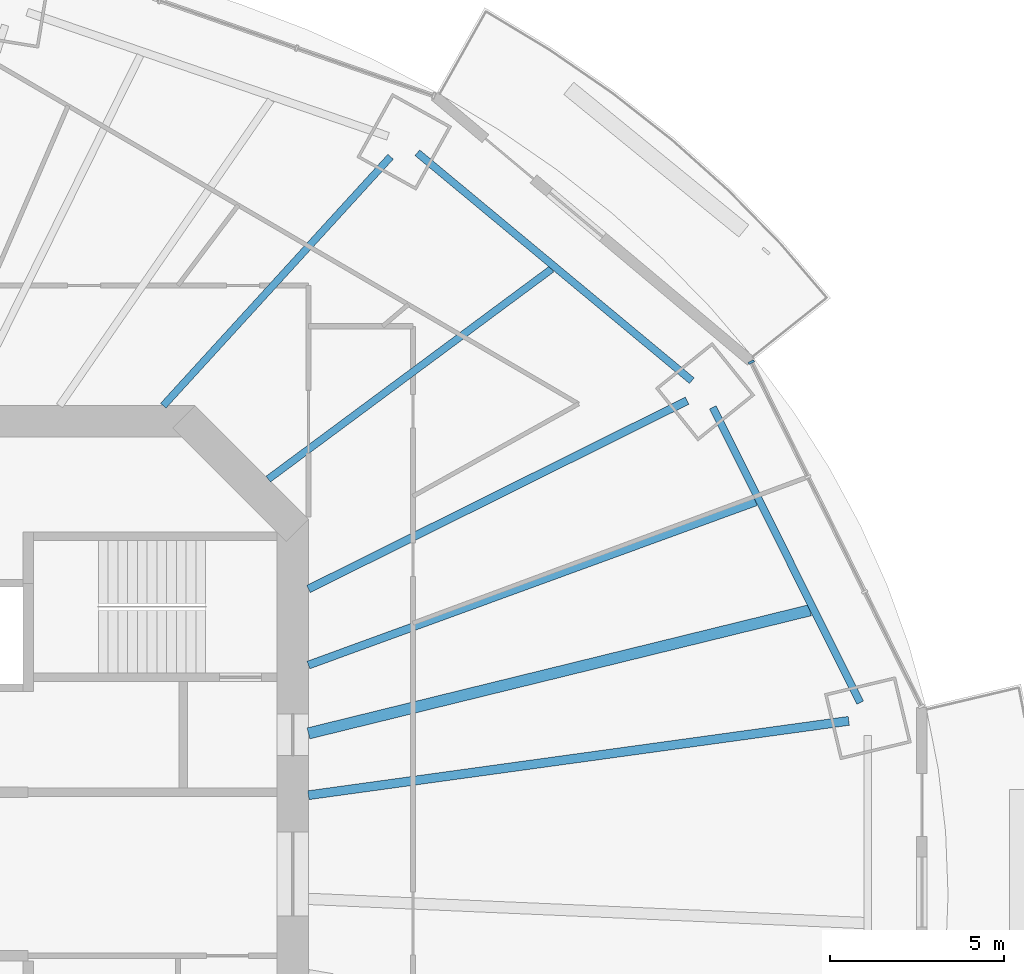
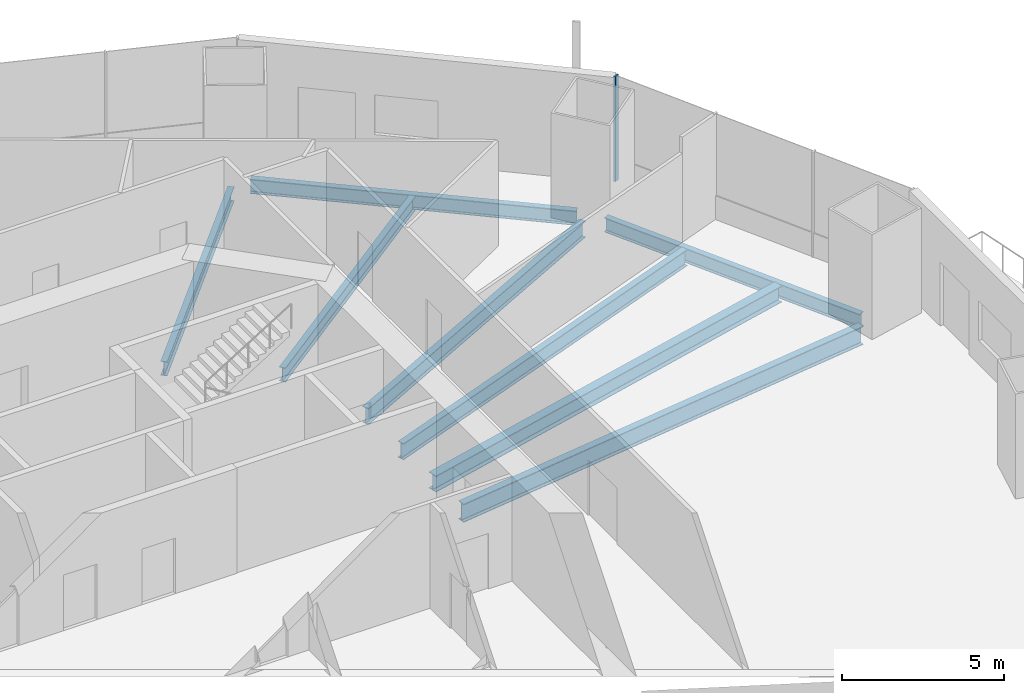
# One storey, part 8 of 21: 8 beams, 1 member, 1 element without a shape of its own.
"""IFC4 building model written with IfcOpenShell, lengths in metres."""

from ifc_helpers import new_model, si_unit, direction, frame, origin, origin_2d, place, context, subcontext, project, spatial, rectangle, i_section, extrude, material, material_profile, profile_set, type_object, element, aggregate, save


model = new_model("IFC4")

# Units and contexts
model_context = context("Model", 3, precision=1e-05, world=origin(), true_north=direction((0.0, 1.0)))
body_context = subcontext(model_context, "Body", "Model", "MODEL_VIEW")
ifc_project = project(units=[si_unit("LENGTHUNIT", "METRE"), si_unit("AREAUNIT", "SQUARE_METRE"), si_unit("VOLUMEUNIT", "CUBIC_METRE"), si_unit("PLANEANGLEUNIT", "RADIAN"), si_unit("MASSUNIT", "GRAM", prefix="KILO")], contexts=[model_context])

# Site, building, storey
site_placement = place(None, origin())
site = spatial("IfcSite", under=ifc_project, at=site_placement, CompositionType="ELEMENT")
building_placement = place(site_placement, origin())
building = spatial("IfcBuilding", under=site, at=building_placement, Name="Marenthal Gate Tower", CompositionType="ELEMENT")
storey_placement = place(building_placement, frame((0.0, 0.0, 165.199951171875)))
storey = spatial("IfcBuildingStorey", under=building, at=storey_placement, Name="L35", CompositionType="ELEMENT", Elevation=165.199951171875)

# Curtain wall, member
ifc_material_1 = material(Name="Aluminium and glass", Category="aluminium")
curtain_wall_type = type_object("IfcCurtainWallType", Name="Curtain wall typical mid", PredefinedType="NOTDEFINED", material=ifc_material_1)
curtain_wall_placement = place(storey_placement, origin())
curtain_wall = element("IfcCurtainWall", 1, at=curtain_wall_placement, inside=storey, type_object=curtain_wall_type, Name="Curtain wall L35 bay 1", PredefinedType="NOTDEFINED")
ifc_material_2 = material(Name="Aluminium", Category="aluminium")
ifc_material_profile_1 = material_profile(ifc_material_2, rectangle(XDim=0.179931640625, YDim=0.06005859375, at=origin_2d()), Name="60x180 aluminium mullion")
ifc_profile_set_1 = profile_set([ifc_material_profile_1], Name="Aluminium")
member_type = type_object("IfcMemberType", Name="Mullion 60x180 typical mid", PredefinedType="MULLION", material=ifc_profile_set_1)
member_placement = place(storey_placement, frame((29.167724609375, 14.702392578125, 0.0), z_axis=(0.0, 0.0, 1.0), x_axis=(-0.896608747182, -0.442823615536, 0.0)))
member = element("IfcMember", 2, at=member_placement, type_object=member_type, Name="Mullion L35 bay 1.4", PredefinedType="MULLION", context=body_context, shape_type="SweptSolid", body=[
    extrude(rectangle(XDim=0.179931640625, YDim=0.06005859375, at=origin_2d()), origin(), (0.0, 0.0, 1.0), 3.969970703125),
])
aggregate(curtain_wall, [member])

# Beams
ifc_material_3 = material(Name="Steel S355", Category="steel")
ifc_material_profile_2 = material_profile(ifc_material_3, i_section(OverallWidth=0.2099609375, OverallDepth=0.535888671875, WebThickness=0.010986328125, FlangeThickness=0.017333984375, FilletRadius=0.0126953125, at=origin_2d()), Name="W530X101")
ifc_profile_set_2 = profile_set([ifc_material_profile_2], Name="Steel S355")
beam_type_1 = type_object("IfcBeamType", Name="W530X101 beam", PredefinedType="BEAM", material=ifc_profile_set_2)
beam_1_placement = place(storey_placement, frame((18.809326171875, 20.600341796875, -0.447998046875), z_axis=(-0.674280125506, -0.738475668081, 0.0), x_axis=(0.738475668081, -0.674280125506, 0.0)))
element("IfcBeam", 3, at=beam_1_placement, inside=storey, type_object=beam_type_1, Name="BM-L35-03", PredefinedType="BEAM", context=body_context, shape_type="SweptSolid", body=[
    extrude(i_section(OverallWidth=0.2099609375, OverallDepth=0.535888671875, WebThickness=0.010986328125, FlangeThickness=0.017333984375, FilletRadius=0.0126953125, at=origin_2d()), origin(), (0.0, 0.0, 1.0), 9.6826171875),
])
beam_2_placement = place(storey_placement, frame((23.4326171875, 17.374755859375, -0.447998046875), z_axis=(-0.803267636897, -0.595618253174, 0.0), x_axis=(0.595618253174, -0.803267636897, 0.0)))
element("IfcBeam", 4, at=beam_2_placement, inside=storey, type_object=beam_type_1, Name="BM-L35-19", PredefinedType="BEAM", context=body_context, shape_type="SweptSolid", body=[
    extrude(i_section(OverallWidth=0.2099609375, OverallDepth=0.535888671875, WebThickness=0.010986328125, FlangeThickness=0.017333984375, FilletRadius=0.0126953125, at=origin_2d()), origin(), (0.0, 0.0, 1.0), 10.130126953125),
])
ifc_material_4 = material(Name="Steel S355", Category="steel")
ifc_material_profile_3 = material_profile(ifc_material_4, i_section(OverallWidth=0.2119140625, OverallDepth=0.5439453125, WebThickness=0.01318359375, FlangeThickness=0.021240234375, FilletRadius=0.0126953125, at=origin_2d()), Name="W530X123")
ifc_profile_set_3 = profile_set([ifc_material_profile_3], Name="Steel S355")
beam_type_2 = type_object("IfcBeamType", Name="W530X123 beam", PredefinedType="BEAM", material=ifc_profile_set_3)
beam_3_placement = place(storey_placement, frame((32.293701171875, 4.9228515625, -0.451904296875), z_axis=(-0.446296506962, 0.894885147868, 0.0), x_axis=(-0.894885147868, -0.446296506962, 0.0)))
element("IfcBeam", 5, at=beam_3_placement, inside=storey, type_object=beam_type_2, Name="BM-L35-41", PredefinedType="BEAM", context=body_context, shape_type="SweptSolid", body=[
    extrude(i_section(OverallWidth=0.2119140625, OverallDepth=0.5439453125, WebThickness=0.01318359375, FlangeThickness=0.021240234375, FilletRadius=0.0126953125, at=origin_2d()), origin(), (0.0, 0.0, 1.0), 9.4794921875),
])
beam_4_placement = place(storey_placement, frame((27.460205078125, 14.16748046875, -0.451904296875), z_axis=(-0.769269111774, 0.638924904563, 0.0), x_axis=(-0.638924904563, -0.769269111774, 0.0)))
element("IfcBeam", 6, at=beam_4_placement, inside=storey, type_object=beam_type_2, Name="BM-L35-42", PredefinedType="BEAM", context=body_context, shape_type="SweptSolid", body=[
    extrude(i_section(OverallWidth=0.2119140625, OverallDepth=0.5439453125, WebThickness=0.01318359375, FlangeThickness=0.021240234375, FilletRadius=0.0126953125, at=origin_2d()), origin(), (0.0, 0.0, 1.0), 10.24560546875),
])
ifc_material_5 = material(Name="Steel S355", Category="steel")
ifc_material_profile_4 = material_profile(ifc_material_5, i_section(OverallWidth=0.22900390625, OverallDepth=0.612060546875, WebThickness=0.011962890625, FlangeThickness=0.01953125, FilletRadius=0.0126953125, at=origin_2d()), Name="W610X125")
ifc_profile_set_4 = profile_set([ifc_material_profile_4], Name="Steel S355")
beam_type_3 = type_object("IfcBeamType", Name="W610X125 beam", PredefinedType="BEAM", material=ifc_profile_set_4)
beam_5_placement = place(storey_placement, frame((27.326171875, 13.595458984375, -0.48583984375), z_axis=(-0.895313726345, -0.445436113733, 0.0), x_axis=(0.445436113733, -0.895313726345, 0.0)))
element("IfcBeam", 7, at=beam_5_placement, inside=storey, type_object=beam_type_3, Name="BM-L35-02", PredefinedType="BEAM", context=body_context, shape_type="SweptSolid", body=[
    extrude(i_section(OverallWidth=0.22900390625, OverallDepth=0.612060546875, WebThickness=0.011962890625, FlangeThickness=0.01953125, FilletRadius=0.0126953125, at=origin_2d()), origin(), (0.0, 0.0, 1.0), 12.14794921875),
])
beam_6_placement = place(storey_placement, frame((29.29931640625, 10.689208984375, -0.48583984375), z_axis=(-0.939434876247, -0.34272746212, 0.0), x_axis=(0.34272746212, -0.939434876247, 0.0)))
element("IfcBeam", 8, at=beam_6_placement, inside=storey, type_object=beam_type_3, Name="BM-L35-18", PredefinedType="BEAM", context=body_context, shape_type="SweptSolid", body=[
    extrude(i_section(OverallWidth=0.22900390625, OverallDepth=0.612060546875, WebThickness=0.011962890625, FlangeThickness=0.01953125, FilletRadius=0.0126953125, at=origin_2d()), origin(), (0.0, 0.0, 1.0), 13.677734375),
])
ifc_material_6 = material(Name="Steel S355", Category="steel")
ifc_material_profile_5 = material_profile(ifc_material_6, i_section(OverallWidth=0.324951171875, OverallDepth=0.612060546875, WebThickness=0.0126953125, FlangeThickness=0.01904296875, FilletRadius=0.0126953125, at=origin_2d()), Name="W610X155")
ifc_profile_set_5 = profile_set([ifc_material_profile_5], Name="Steel S355")
beam_type_4 = type_object("IfcBeamType", Name="W610X155 beam", PredefinedType="BEAM", material=ifc_profile_set_5)
beam_7_placement = place(storey_placement, frame((30.852783203125, 7.574462890625, -0.48583984375), z_axis=(-0.971162172904, -0.238419868973, 0.0), x_axis=(0.238419868973, -0.971162172904, 0.0)))
element("IfcBeam", 9, at=beam_7_placement, inside=storey, type_object=beam_type_4, Name="BM-L35-17", PredefinedType="BEAM", context=body_context, shape_type="SweptSolid", body=[
    extrude(i_section(OverallWidth=0.324951171875, OverallDepth=0.612060546875, WebThickness=0.0126953125, FlangeThickness=0.01904296875, FilletRadius=0.0126953125, at=origin_2d()), origin(), (0.0, 0.0, 1.0), 14.83056640625),
])
ifc_material_7 = material(Name="Steel S355", Category="steel")
ifc_material_profile_6 = material_profile(ifc_material_7, i_section(OverallWidth=0.257080078125, OverallDepth=0.693115234375, WebThickness=0.014404296875, FlangeThickness=0.023681640625, FilletRadius=0.015380859375, at=origin_2d()), Name="W690X170")
ifc_profile_set_6 = profile_set([ifc_material_profile_6], Name="Steel S355")
beam_type_5 = type_object("IfcBeamType", Name="W690X170 beam", PredefinedType="BEAM", material=ifc_profile_set_6)
beam_8_placement = place(storey_placement, frame((31.96728515625, 4.39892578125, -0.5263671875), z_axis=(-0.990664873443, -0.136319875755, 0.0), x_axis=(0.136319875755, -0.990664873443, 0.0)))
element("IfcBeam", 10, at=beam_8_placement, inside=storey, type_object=beam_type_5, Name="BM-L35-01", PredefinedType="BEAM", context=body_context, shape_type="SweptSolid", body=[
    extrude(i_section(OverallWidth=0.257080078125, OverallDepth=0.693115234375, WebThickness=0.014404296875, FlangeThickness=0.023681640625, FilletRadius=0.015380859375, at=origin_2d()), origin(), (0.0, 0.0, 1.0), 15.66357421875),
])

save(model, "model.ifc")
